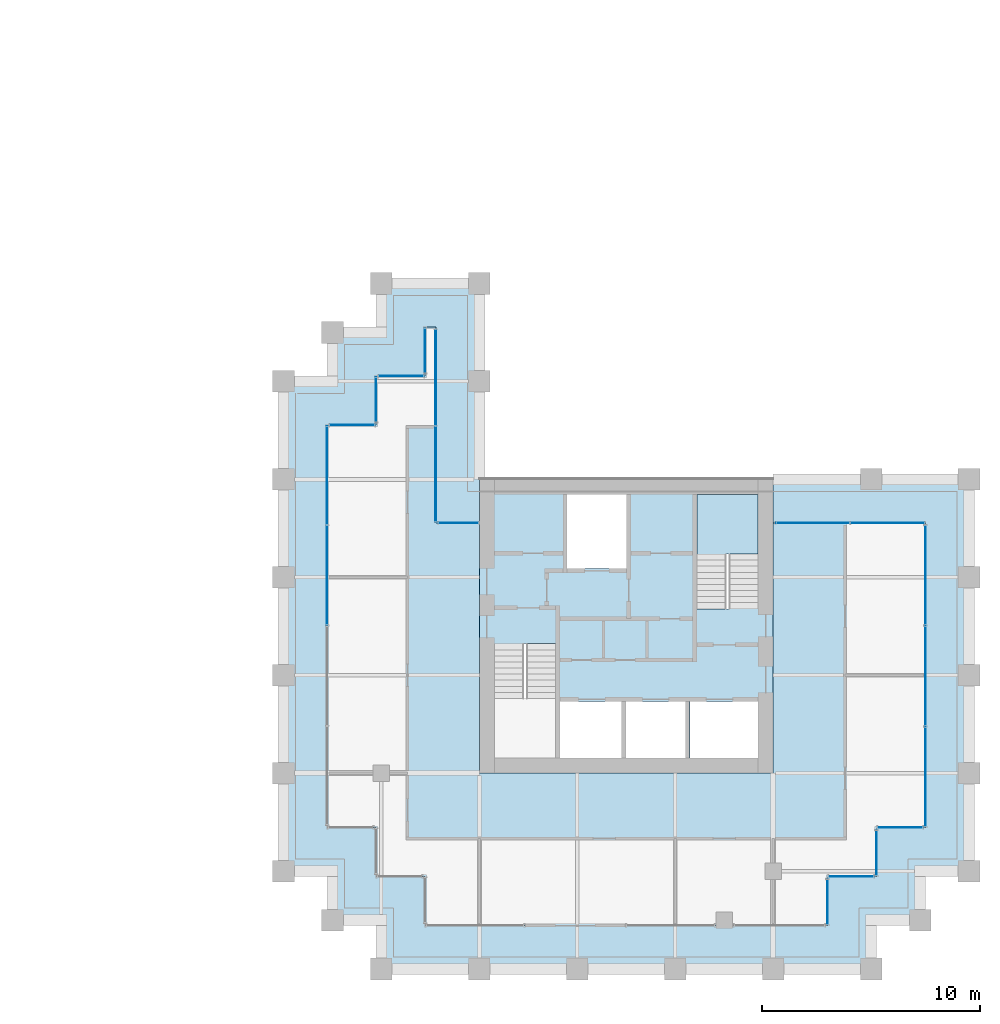
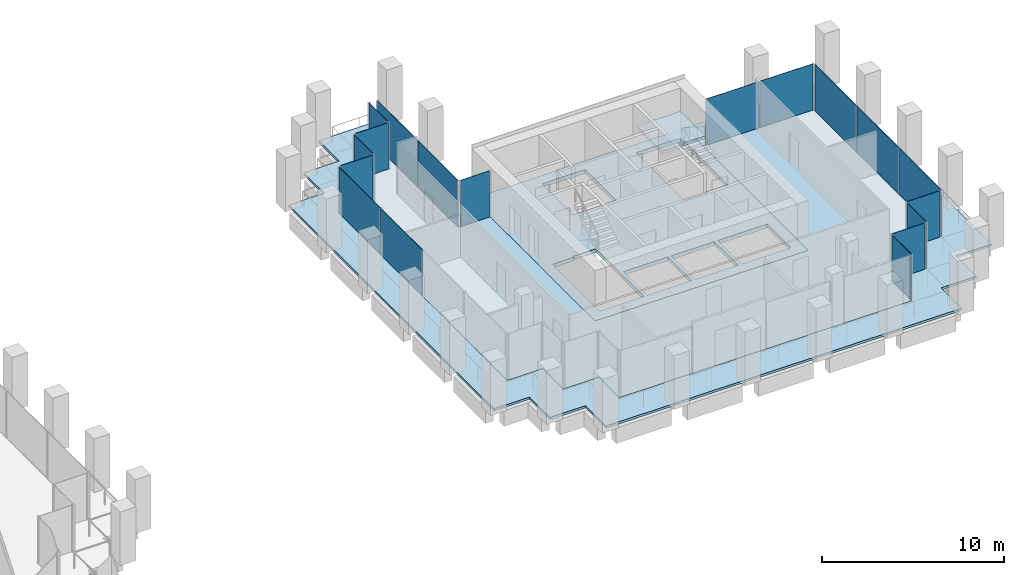
# One storey, part 40 of 46: 18 plates, 4 slabs, 14 elements without a shape of their own.
"""IFC4 building model written with IfcOpenShell, lengths in metres."""

from ifc_helpers import new_model, si_unit, direction, frame, origin, origin_2d, place, context, subcontext, project, spatial, polyline, rectangle, outline, extrude, material, layer, layer_set, type_object, element, aggregate, save


model = new_model("IFC4")

# Units and contexts
model_context = context("Model", 3, precision=1e-05, world=origin(), true_north=direction((0.0, 1.0)))
body_context = subcontext(model_context, "Body", "Model", "MODEL_VIEW")
ifc_project = project(units=[si_unit("LENGTHUNIT", "METRE"), si_unit("AREAUNIT", "SQUARE_METRE"), si_unit("VOLUMEUNIT", "CUBIC_METRE"), si_unit("PLANEANGLEUNIT", "RADIAN"), si_unit("MASSUNIT", "GRAM", prefix="KILO")], contexts=[model_context])

# Site, building, storey
site_placement = place(None, origin())
site = spatial("IfcSite", under=ifc_project, at=site_placement, CompositionType="ELEMENT")
building_placement = place(site_placement, origin())
building = spatial("IfcBuilding", under=site, at=building_placement, Name="Altepetl Exchange Towers", CompositionType="ELEMENT")
storey_placement = place(building_placement, frame((0.0, 0.0, 120.800048828125)))
storey = spatial("IfcBuildingStorey", under=building, at=storey_placement, Name="L29", CompositionType="ELEMENT", Elevation=120.800048828125)

# Slabs
ifc_material_1 = material(Name="Concrete C40/50", Category="concrete")
ifc_layer_1 = layer(ifc_material_1, 0.14990234375)
ifc_layer_set_1 = layer_set([ifc_layer_1], Name="Concrete C40/50")
slab_type_1 = type_object("IfcSlabType", Name="Composite floor slab 150", PredefinedType="FLOOR", material=ifc_layer_set_1)
slab_1_placement = place(storey_placement, frame((0.0, 0.0, -0.150146484375)))
element("IfcSlab", 1, at=slab_1_placement, inside=storey, type_object=slab_type_1, Name="slab:B:L29:strip0", PredefinedType="FLOOR", context=body_context, shape_type="SweptSolid", body=[
    extrude(outline(polyline([(98.75, 54.25), (98.75, 52.0), (96.5, 52.0), (96.5, 33.5), (98.75, 33.5), (98.75, 31.25), (101.0, 31.25), (101.0, 29.0), (119.5, 29.0), (119.5, 31.25), (121.75, 31.25), (121.75, 33.5), (124.0, 33.5), (124.0, 47.5), (117.0, 47.5), (117.0, 36.0), (103.5, 36.0), (103.5, 47.5), (101.5, 47.5), (101.5, 56.5), (101.0, 56.5), (101.0, 54.25), (98.75, 54.25)])), origin(), (0.0, 0.0, 1.0), 0.150146484375),
])
ifc_layer_2 = layer(ifc_material_1, 0.25)
ifc_layer_set_2 = layer_set([ifc_layer_2], Name="Concrete C40/50")
slab_type_2 = type_object("IfcSlabType", Name="Core floor slab 250", PredefinedType="FLOOR", material=ifc_layer_set_2)
slab_2_placement = place(storey_placement, frame((0.0, 0.0, -0.25)))
element("IfcSlab", 2, at=slab_2_placement, inside=storey, type_object=slab_type_2, Name="slab:B:L29:core0", PredefinedType="FLOOR", context=body_context, shape_type="SweptSolid", body=[
    extrude(outline(polyline([(103.5, 36.0), (117.0, 36.0), (117.0, 49.5), (103.5, 49.5), (103.5, 36.0)]), holes=[polyline([(107.199951171875, 36.699951171875), (107.199951171875, 39.300048828125), (110.032958984375, 39.300048828125), (110.032958984375, 36.699951171875), (107.199951171875, 36.699951171875)]), polyline([(110.23291015625, 39.300048828125), (112.967041015625, 39.300048828125), (112.967041015625, 36.699951171875), (110.23291015625, 36.699951171875), (110.23291015625, 39.300048828125)]), polyline([(113.1669921875, 39.300048828125), (116.300048828125, 39.300048828125), (116.300048828125, 36.699951171875), (113.1669921875, 36.699951171875), (113.1669921875, 39.300048828125)]), polyline([(107.0, 36.699951171875), (104.199951171875, 36.699951171875), (104.199951171875, 41.85009765625), (105.550048828125, 41.85009765625), (105.550048828125, 41.948974609375), (107.0, 41.948974609375), (107.0, 36.699951171875)]), polyline([(116.300048828125, 48.800048828125), (116.300048828125, 43.64990234375), (114.949951171875, 43.64990234375), (114.949951171875, 43.551025390625), (113.5, 43.551025390625), (113.5, 48.800048828125), (116.300048828125, 48.800048828125)]), polyline([(107.532958984375, 48.800048828125), (110.26708984375, 48.800048828125), (110.26708984375, 45.39990234375), (107.532958984375, 45.39990234375), (107.532958984375, 48.800048828125)])]), origin(), (0.0, 0.0, 1.0), 0.25),
])

# Curtain wall, plate
ifc_material_2 = material(Name="Aluminium 6063-T6 glazing", Category="aluminium")
curtain_wall_type = type_object("IfcCurtainWallType", Name="Loggia glazing system", PredefinedType="NOTDEFINED", material=ifc_material_2)
curtain_wall_1_placement = place(storey_placement, origin())
curtain_wall_1 = element("IfcCurtainWall", 3, at=curtain_wall_1_placement, inside=storey, type_object=curtain_wall_type, Name="CW1 run", PredefinedType="NOTDEFINED")
ifc_material_3 = material(Name="Glass 6-16-6 low emissivity", Category="glass")
ifc_layer_3 = layer(ifc_material_3, 0.028076171875)
ifc_layer_set_3 = layer_set([ifc_layer_3], Name="Glass 6-16-6 low emissivity")
plate_type = type_object("IfcPlateType", Name="Glass panel 28 double glazed", PredefinedType="CURTAIN_PANEL", material=ifc_layer_set_3)
plate_1_placement = place(storey_placement, frame((97.66259765625, 52.0, 0.0), z_axis=(0.0, 0.0, 1.0), x_axis=(-1.0, 0.0, 0.0)))
plate_1 = element("IfcPlate", 4, at=plate_1_placement, type_object=plate_type, Name="GP1 panel", PredefinedType="CURTAIN_PANEL", context=body_context, shape_type="SweptSolid", body=[
    extrude(rectangle(XDim=2.054931640625, YDim=0.028076171875, at=origin_2d()), origin(), (0.0, 0.0, 1.0), 3.10009765625),
])
aggregate(curtain_wall_1, [plate_1])

# Curtain wall, plates
curtain_wall_2_placement = place(storey_placement, origin())
curtain_wall_2 = element("IfcCurtainWall", 5, at=curtain_wall_2_placement, inside=storey, type_object=curtain_wall_type, Name="CW1 run", PredefinedType="NOTDEFINED")
plate_2_placement = place(storey_placement, frame((96.5, 49.681884765625, 0.0), z_axis=(0.0, 0.0, 1.0), x_axis=(0.0, -1.0, 0.0)))
plate_2 = element("IfcPlate", 6, at=plate_2_placement, type_object=plate_type, Name="GP1 panel", PredefinedType="CURTAIN_PANEL", context=body_context, shape_type="SweptSolid", body=[
    extrude(rectangle(XDim=4.516357421875, YDim=0.028076171875, at=origin_2d()), origin(), (0.0, 0.0, 1.0), 3.10009765625),
])
plate_3_placement = place(storey_placement, frame((96.5, 45.090576171875, 0.0), z_axis=(0.0, 0.0, 1.0), x_axis=(0.0, -1.0, 0.0)))
plate_3 = element("IfcPlate", 7, at=plate_3_placement, type_object=plate_type, Name="GP1 panel", PredefinedType="CURTAIN_PANEL", context=body_context, shape_type="SweptSolid", body=[
    extrude(rectangle(XDim=4.546142578125, YDim=0.028076171875, at=origin_2d()), origin(), (0.0, 0.0, 1.0), 3.10009765625),
])
aggregate(curtain_wall_2, [plate_2, plate_3])

# Curtain wall, plate
curtain_wall_3_placement = place(storey_placement, origin())
curtain_wall_3 = element("IfcCurtainWall", 8, at=curtain_wall_3_placement, inside=storey, type_object=curtain_wall_type, Name="CW1 run", PredefinedType="NOTDEFINED")
plate_4_placement = place(storey_placement, frame((119.5, 30.08740234375, 0.0), z_axis=(0.0, 0.0, 1.0), x_axis=(0.0, 1.0, 0.0)))
plate_4 = element("IfcPlate", 9, at=plate_4_placement, type_object=plate_type, Name="GP1 panel", PredefinedType="CURTAIN_PANEL", context=body_context, shape_type="SweptSolid", body=[
    extrude(rectangle(XDim=2.054931640625, YDim=0.028076171875, at=origin_2d()), origin(), (0.0, 0.0, 1.0), 3.10009765625),
])
aggregate(curtain_wall_3, [plate_4])

curtain_wall_4_placement = place(storey_placement, origin())
curtain_wall_4 = element("IfcCurtainWall", 10, at=curtain_wall_4_placement, inside=storey, type_object=curtain_wall_type, Name="CW1 run", PredefinedType="NOTDEFINED")
plate_5_placement = place(storey_placement, frame((120.58740234375, 31.25, 0.0)))
plate_5 = element("IfcPlate", 11, at=plate_5_placement, type_object=plate_type, Name="GP1 panel", PredefinedType="CURTAIN_PANEL", context=body_context, shape_type="SweptSolid", body=[
    extrude(rectangle(XDim=2.054931640625, YDim=0.028076171875, at=origin_2d()), origin(), (0.0, 0.0, 1.0), 3.10009765625),
])
aggregate(curtain_wall_4, [plate_5])

curtain_wall_5_placement = place(storey_placement, origin())
curtain_wall_5 = element("IfcCurtainWall", 12, at=curtain_wall_5_placement, inside=storey, type_object=curtain_wall_type, Name="CW1 run", PredefinedType="NOTDEFINED")
plate_6_placement = place(storey_placement, frame((121.75, 32.33740234375, 0.0), z_axis=(0.0, 0.0, 1.0), x_axis=(0.0, 1.0, 0.0)))
plate_6 = element("IfcPlate", 13, at=plate_6_placement, type_object=plate_type, Name="GP1 panel", PredefinedType="CURTAIN_PANEL", context=body_context, shape_type="SweptSolid", body=[
    extrude(rectangle(XDim=2.054931640625, YDim=0.028076171875, at=origin_2d()), origin(), (0.0, 0.0, 1.0), 3.10009765625),
])
aggregate(curtain_wall_5, [plate_6])

curtain_wall_6_placement = place(storey_placement, origin())
curtain_wall_6 = element("IfcCurtainWall", 14, at=curtain_wall_6_placement, inside=storey, type_object=curtain_wall_type, Name="CW1 run", PredefinedType="NOTDEFINED")
plate_7_placement = place(storey_placement, frame((122.83740234375, 33.5, 0.0)))
plate_7 = element("IfcPlate", 15, at=plate_7_placement, type_object=plate_type, Name="GP1 panel", PredefinedType="CURTAIN_PANEL", context=body_context, shape_type="SweptSolid", body=[
    extrude(rectangle(XDim=2.054931640625, YDim=0.028076171875, at=origin_2d()), origin(), (0.0, 0.0, 1.0), 3.10009765625),
])
aggregate(curtain_wall_6, [plate_7])

# Curtain wall, plates
curtain_wall_7_placement = place(storey_placement, origin())
curtain_wall_7 = element("IfcCurtainWall", 16, at=curtain_wall_7_placement, inside=storey, type_object=curtain_wall_type, Name="CW1 run", PredefinedType="NOTDEFINED")
plate_8_placement = place(storey_placement, frame((124.0, 35.8359375, 0.0), z_axis=(0.0, 0.0, 1.0), x_axis=(0.0, 1.0, 0.0)))
plate_8 = element("IfcPlate", 17, at=plate_8_placement, type_object=plate_type, Name="GP1 panel", PredefinedType="CURTAIN_PANEL", context=body_context, shape_type="SweptSolid", body=[
    extrude(rectangle(XDim=4.5517578125, YDim=0.028076171875, at=origin_2d()), origin(), (0.0, 0.0, 1.0), 3.10009765625),
])
plate_9_placement = place(storey_placement, frame((124.0, 40.46240234375, 0.0), z_axis=(0.0, 0.0, 1.0), x_axis=(0.0, 1.0, 0.0)))
plate_9 = element("IfcPlate", 18, at=plate_9_placement, type_object=plate_type, Name="GP1 panel", PredefinedType="CURTAIN_PANEL", context=body_context, shape_type="SweptSolid", body=[
    extrude(rectangle(XDim=4.581787109375, YDim=0.028076171875, at=origin_2d()), origin(), (0.0, 0.0, 1.0), 3.10009765625),
])
plate_10_placement = place(storey_placement, frame((124.0, 45.089111328125, 0.0), z_axis=(0.0, 0.0, 1.0), x_axis=(0.0, 1.0, 0.0)))
plate_10 = element("IfcPlate", 19, at=plate_10_placement, type_object=plate_type, Name="GP1 panel", PredefinedType="CURTAIN_PANEL", context=body_context, shape_type="SweptSolid", body=[
    extrude(rectangle(XDim=4.5517578125, YDim=0.028076171875, at=origin_2d()), origin(), (0.0, 0.0, 1.0), 3.10009765625),
])
aggregate(curtain_wall_7, [plate_8, plate_9, plate_10])

curtain_wall_8_placement = place(storey_placement, origin())
curtain_wall_8 = element("IfcCurtainWall", 20, at=curtain_wall_8_placement, inside=storey, type_object=curtain_wall_type, Name="CW1 run", PredefinedType="NOTDEFINED")
plate_11_placement = place(storey_placement, frame((122.253662109375, 47.5, 0.0), z_axis=(0.0, 0.0, 1.0), x_axis=(-1.0, 0.0, 0.0)))
plate_11 = element("IfcPlate", 21, at=plate_11_placement, type_object=plate_type, Name="GP1 panel", PredefinedType="CURTAIN_PANEL", context=body_context, shape_type="SweptSolid", body=[
    extrude(rectangle(XDim=3.37255859375, YDim=0.028076171875, at=origin_2d()), origin(), (0.0, 0.0, 1.0), 3.10009765625),
])
plate_12_placement = place(storey_placement, frame((118.8212890625, 47.5, 0.0), z_axis=(0.0, 0.0, 1.0), x_axis=(-1.0, 0.0, 0.0)))
plate_12 = element("IfcPlate", 22, at=plate_12_placement, type_object=plate_type, Name="GP1 panel", PredefinedType="CURTAIN_PANEL", context=body_context, shape_type="SweptSolid", body=[
    extrude(rectangle(XDim=3.37255859375, YDim=0.028076171875, at=origin_2d()), origin(), (0.0, 0.0, 1.0), 3.10009765625),
])
aggregate(curtain_wall_8, [plate_11, plate_12])

# Curtain wall, plate
curtain_wall_9_placement = place(storey_placement, origin())
curtain_wall_9 = element("IfcCurtainWall", 23, at=curtain_wall_9_placement, inside=storey, type_object=curtain_wall_type, Name="CW1 run", PredefinedType="NOTDEFINED")
plate_13_placement = place(storey_placement, frame((102.53759765625, 47.5, 0.0), z_axis=(0.0, 0.0, 1.0), x_axis=(-1.0, 0.0, 0.0)))
plate_13 = element("IfcPlate", 24, at=plate_13_placement, type_object=plate_type, Name="GP1 panel", PredefinedType="CURTAIN_PANEL", context=body_context, shape_type="SweptSolid", body=[
    extrude(rectangle(XDim=1.804931640625, YDim=0.028076171875, at=origin_2d()), origin(), (0.0, 0.0, 1.0), 3.10009765625),
])
aggregate(curtain_wall_9, [plate_13])

# Curtain wall, plates
curtain_wall_10_placement = place(storey_placement, origin())
curtain_wall_10 = element("IfcCurtainWall", 25, at=curtain_wall_10_placement, inside=storey, type_object=curtain_wall_type, Name="CW1 run", PredefinedType="NOTDEFINED")
plate_14_placement = place(storey_placement, frame((101.5, 49.746337890625, 0.0), z_axis=(0.0, 0.0, 1.0), x_axis=(0.0, 1.0, 0.0)))
plate_14 = element("IfcPlate", 26, at=plate_14_placement, type_object=plate_type, Name="GP1 panel", PredefinedType="CURTAIN_PANEL", context=body_context, shape_type="SweptSolid", body=[
    extrude(rectangle(XDim=4.37255859375, YDim=0.028076171875, at=origin_2d()), origin(), (0.0, 0.0, 1.0), 3.10009765625),
])
plate_15_placement = place(storey_placement, frame((101.5, 54.1787109375, 0.0), z_axis=(0.0, 0.0, 1.0), x_axis=(0.0, 1.0, 0.0)))
plate_15 = element("IfcPlate", 27, at=plate_15_placement, type_object=plate_type, Name="GP1 panel", PredefinedType="CURTAIN_PANEL", context=body_context, shape_type="SweptSolid", body=[
    extrude(rectangle(XDim=4.37255859375, YDim=0.028076171875, at=origin_2d()), origin(), (0.0, 0.0, 1.0), 3.10009765625),
])
aggregate(curtain_wall_10, [plate_14, plate_15])

# Curtain wall, plate
curtain_wall_11_placement = place(storey_placement, origin())
curtain_wall_11 = element("IfcCurtainWall", 28, at=curtain_wall_11_placement, inside=storey, type_object=curtain_wall_type, Name="CW1 run", PredefinedType="NOTDEFINED")
plate_16_placement = place(storey_placement, frame((101.0, 55.41259765625, 0.0), z_axis=(0.0, 0.0, 1.0), x_axis=(0.0, -1.0, 0.0)))
plate_16 = element("IfcPlate", 29, at=plate_16_placement, type_object=plate_type, Name="GP1 panel", PredefinedType="CURTAIN_PANEL", context=body_context, shape_type="SweptSolid", body=[
    extrude(rectangle(XDim=2.054931640625, YDim=0.028076171875, at=origin_2d()), origin(), (0.0, 0.0, 1.0), 3.10009765625),
])
aggregate(curtain_wall_11, [plate_16])

curtain_wall_12_placement = place(storey_placement, origin())
curtain_wall_12 = element("IfcCurtainWall", 30, at=curtain_wall_12_placement, inside=storey, type_object=curtain_wall_type, Name="CW1 run", PredefinedType="NOTDEFINED")
plate_17_placement = place(storey_placement, frame((99.91259765625, 54.25, 0.0), z_axis=(0.0, 0.0, 1.0), x_axis=(-1.0, 0.0, 0.0)))
plate_17 = element("IfcPlate", 31, at=plate_17_placement, type_object=plate_type, Name="GP1 panel", PredefinedType="CURTAIN_PANEL", context=body_context, shape_type="SweptSolid", body=[
    extrude(rectangle(XDim=2.054931640625, YDim=0.028076171875, at=origin_2d()), origin(), (0.0, 0.0, 1.0), 3.10009765625),
])
aggregate(curtain_wall_12, [plate_17])

curtain_wall_13_placement = place(storey_placement, origin())
curtain_wall_13 = element("IfcCurtainWall", 32, at=curtain_wall_13_placement, inside=storey, type_object=curtain_wall_type, Name="CW1 run", PredefinedType="NOTDEFINED")
plate_18_placement = place(storey_placement, frame((98.75, 53.16259765625, 0.0), z_axis=(0.0, 0.0, 1.0), x_axis=(0.0, -1.0, 0.0)))
plate_18 = element("IfcPlate", 33, at=plate_18_placement, type_object=plate_type, Name="GP1 panel", PredefinedType="CURTAIN_PANEL", context=body_context, shape_type="SweptSolid", body=[
    extrude(rectangle(XDim=2.054931640625, YDim=0.028076171875, at=origin_2d()), origin(), (0.0, 0.0, 1.0), 3.10009765625),
])
aggregate(curtain_wall_13, [plate_18])

# Slab
ifc_layer_4 = layer(ifc_material_1, 0.14990234375)
ifc_layer_set_4 = layer_set([ifc_layer_4], Name="Concrete C40/50")
slab_type_3 = type_object("IfcSlabType", Name="Loggia slab 150", PredefinedType="FLOOR", material=ifc_layer_set_4)
slab_3_placement = place(storey_placement, frame((0.0, 0.0, -0.150146484375)))
element("IfcSlab", 34, at=slab_3_placement, inside=storey, type_object=slab_type_3, Name="slab:B:L29:loggia0", PredefinedType="FLOOR", context=body_context, shape_type="SweptSolid", body=[
    extrude(outline(polyline([(96.75, 54.0), (94.5, 54.0), (94.5, 36.0), (94.5, 31.5), (96.75, 31.5), (96.75, 29.25), (99.0, 29.25), (99.0, 27.0), (117.0, 27.0), (121.5, 27.0), (121.5, 29.25), (123.75, 29.25), (123.75, 31.5), (126.0, 31.5), (126.0, 49.5), (117.0, 49.5), (117.0, 47.5), (124.0, 47.5), (124.0, 33.5), (121.75, 33.5), (121.75, 31.25), (119.5, 31.25), (119.5, 29.0), (101.0, 29.0), (101.0, 31.25), (98.75, 31.25), (98.75, 33.5), (96.5, 33.5), (96.5, 52.0), (98.75, 52.0), (98.75, 54.25), (101.0, 54.25), (101.0, 56.5), (101.5, 56.5), (101.5, 47.5), (103.5, 47.5), (103.5, 49.5), (103.5, 58.5), (99.0, 58.5), (99.0, 56.25), (96.75, 56.25), (96.75, 54.0)])), origin(), (0.0, 0.0, 1.0), 0.150146484375),
])

# Stair, slab
stair_type = type_object("IfcStairType", Name="Exit stair 1350 flights dogleg", PredefinedType="HALF_TURN_STAIR", material=ifc_material_1)
stair_placement = place(storey_placement, origin())
stair = element("IfcStair", 35, at=stair_placement, inside=storey, type_object=stair_type, Name="Exit stair 2", PredefinedType="HALF_TURN_STAIR")
ifc_layer_5 = layer(ifc_material_1, 0.199951171875)
ifc_layer_set_5 = layer_set([ifc_layer_5], Name="Concrete C40/50")
slab_type_4 = type_object("IfcSlabType", Name="Stair landing 200 reinforced concrete", PredefinedType="LANDING", material=ifc_layer_set_5)
slab_4_placement = place(storey_placement, frame((0.0, 0.0, 1.599853515625)))
slab_4 = element("IfcSlab", 36, at=slab_4_placement, type_object=slab_type_4, Name="ST-B2d landing 1", PredefinedType="LANDING", context=body_context, shape_type="SweptSolid", body=[
    extrude(outline(polyline([(114.85009765625, 45.969970703125), (113.5, 45.969970703125), (113.5, 46.070068359375), (113.5, 48.800048828125), (116.300048828125, 48.800048828125), (116.300048828125, 46.070068359375), (116.300048828125, 46.0693359375), (114.949951171875, 46.0693359375), (114.949951171875, 46.070068359375), (114.85009765625, 46.070068359375), (114.85009765625, 45.969970703125)])), origin(), (0.0, 0.0, 1.0), 0.2001953125),
])
aggregate(stair, [slab_4])

save(model, "model.ifc")
